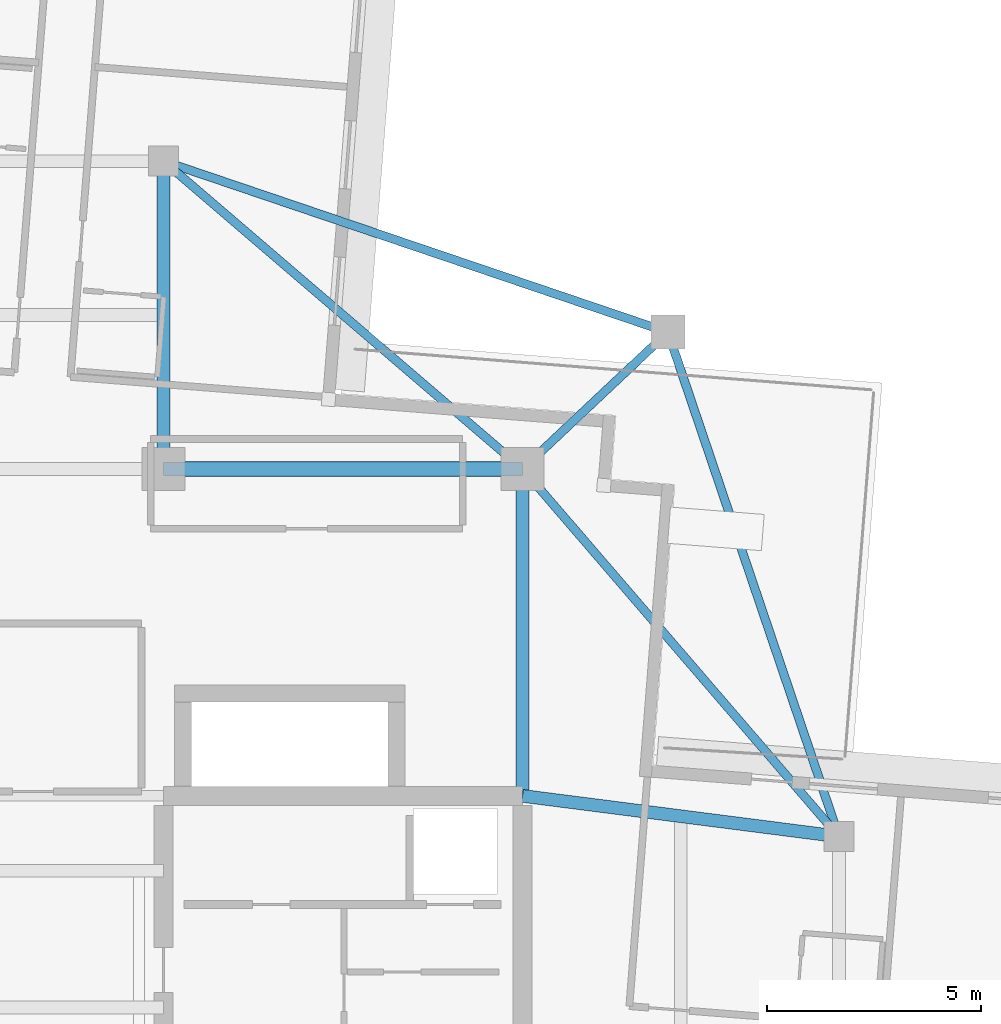
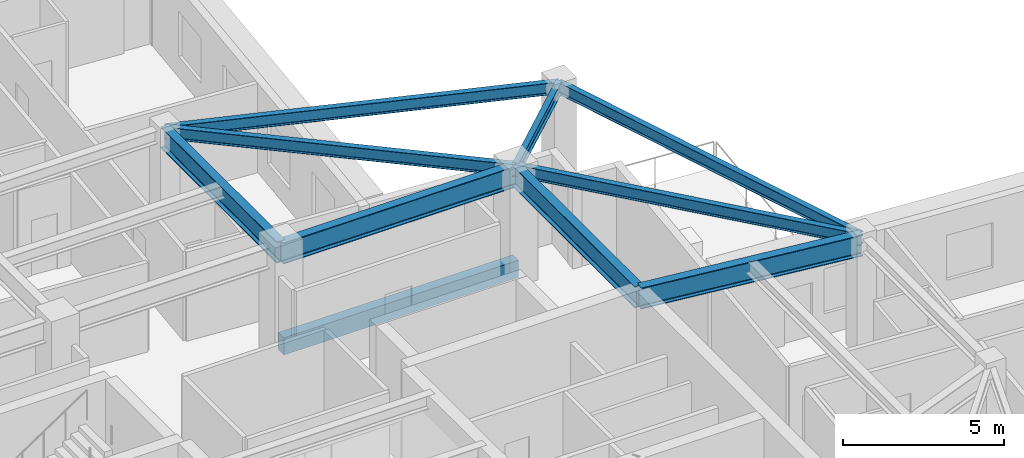
# One storey, part 10 of 23: 10 beams.
"""IFC4 building model written with IfcOpenShell, lengths in metres."""

import ifcopenshell
import ifcopenshell.guid

model = None  # the IFC model being written
_history = None  # IfcOwnerHistory: only IFC2X3 demands one
_inside = {}  # id of a spatial element -> (the spatial element, [elements in it])
_under = {}  # id of a project, library or spatial element -> (it, [spatial elements below it])
_declared = {}  # id of a project -> (the project, [libraries it declares])
_typed = {}  # id of a type object -> (the type object, [elements of that type])
_made_of = {}  # id of a material, layer set ... -> (it, [elements and type objects made of it])


def new_model(schema):
    """Start an empty IFC model of exactly this schema.

    Asked for "IFC4X3", IfcOpenShell would pick the latest addendum, in which some entities
    have other attributes; the version numbers below select the first issue.
    IFC2X3 requires an IfcOwnerHistory on every rooted entity: one is made here for all.
    """
    global model, _history
    if schema == "IFC4X3":
        model = ifcopenshell.file(schema_version=(4, 3, 0, 0))
    else:
        model = ifcopenshell.file(schema=schema)
    _inside.clear()
    _under.clear()
    _declared.clear()
    _typed.clear()
    _made_of.clear()
    _history = None
    if model.schema == "IFC2X3":
        org = make("IfcOrganization", Name="unknown")
        user = make(
            "IfcPersonAndOrganization",
            ThePerson=make("IfcPerson", FamilyName="unknown"),
            TheOrganization=org,
        )
        app = make(
            "IfcApplication",
            ApplicationDeveloper=org,
            Version="unknown",
            ApplicationFullName="unknown",
            ApplicationIdentifier="unknown",
        )
        _history = make(
            "IfcOwnerHistory",
            OwningUser=user,
            OwningApplication=app,
            ChangeAction="ADDED",
            CreationDate=0,
        )
    return model


def make(cls, **values):
    """One entity of the class cls with the attributes given. An attribute that is None is left unset."""
    return model.create_entity(
        cls, **{name: value for name, value in values.items() if value is not None}
    )


def rooted(cls, **values):
    """An entity with a GlobalId (a new one), such as an element, a storey or a relation."""
    return make(cls, GlobalId=ifcopenshell.guid.new(), OwnerHistory=_history, **values)


def si_unit(unit_type, name, prefix=None):
    """IfcSIUnit, for example si_unit("LENGTHUNIT", "METRE", prefix="MILLI")."""
    return make("IfcSIUnit", UnitType=unit_type, Prefix=prefix, Name=name)


def assignment(units):
    """IfcUnitAssignment: the units of a project."""
    return None if units is None else make("IfcUnitAssignment", Units=units)


def point(xyz):
    """IfcCartesianPoint."""
    return None if xyz is None else make("IfcCartesianPoint", Coordinates=xyz)


def direction(xyz):
    """IfcDirection."""
    return None if xyz is None else make("IfcDirection", DirectionRatios=xyz)


def frame(location, z_axis=None, x_axis=None):
    """IfcAxis2Placement3D, a coordinate frame: its origin and axes. An axis left out is left unset."""
    return make(
        "IfcAxis2Placement3D",
        Location=point(location),
        Axis=direction(z_axis),
        RefDirection=direction(x_axis),
    )


def frame_2d(location, x_axis=None):
    """IfcAxis2Placement2D, a coordinate frame in the plane: its origin and x axis."""
    return make(
        "IfcAxis2Placement2D", Location=point(location), RefDirection=direction(x_axis)
    )


def origin():
    """The frame at (0, 0, 0) with its axes left unset."""
    return frame((0.0, 0.0, 0.0))


def origin_2d():
    """The frame at (0, 0) in the plane with its x axis left unset."""
    return frame_2d((0.0, 0.0))


def place(relative_to, where):
    """IfcLocalPlacement: puts the frame where relative to a parent placement (None: the world)."""
    return make(
        "IfcLocalPlacement", PlacementRelTo=relative_to, RelativePlacement=where
    )


def context(
    kind, dimensions, precision=None, world=None, true_north=None, identifier=None
):
    """IfcGeometricRepresentationContext, for example the 3D "Model" context."""
    return make(
        "IfcGeometricRepresentationContext",
        ContextIdentifier=identifier,
        ContextType=kind,
        CoordinateSpaceDimension=dimensions,
        Precision=precision,
        WorldCoordinateSystem=world,
        TrueNorth=true_north,
    )


def subcontext(parent, identifier, kind, view, scale=None):
    """IfcGeometricRepresentationSubContext, for example "Body" below "Model"."""
    return make(
        "IfcGeometricRepresentationSubContext",
        ContextIdentifier=identifier,
        ContextType=kind,
        ParentContext=parent,
        TargetScale=scale,
        TargetView=view,
    )


def project(units=None, contexts=None):
    """IfcProject with its units and contexts."""
    return rooted(
        "IfcProject",
        Name="project",
        RepresentationContexts=contexts,
        UnitsInContext=assignment(units),
    )


def spatial(cls, under=None, at=None, **own):
    """A site, building, storey or space (cls), placed at a placement, below another one or the project."""
    s = rooted(cls, ObjectPlacement=at, **own)
    if under is not None:
        _under.setdefault(under.id(), (under, []))[1].append(s)
    return s


def profile(cls, at=None, kind="AREA", **sizes):
    """A parametric profile (cls). Its sizes go by their IFC names, for example OverallWidth=200.0."""
    return make(cls, ProfileType=kind, Position=at, **sizes)


def rectangle(**sizes):
    """IfcRectangleProfileDef."""
    return profile("IfcRectangleProfileDef", **sizes)


def i_section(**sizes):
    """IfcIShapeProfileDef."""
    return profile("IfcIShapeProfileDef", **sizes)


def extrude(swept, where, along, depth):
    """IfcExtrudedAreaSolid: the profile swept, set in the frame where, extruded along a direction by depth."""
    return make(
        "IfcExtrudedAreaSolid",
        SweptArea=swept,
        Position=where,
        ExtrudedDirection=direction(along),
        Depth=depth,
    )


def shape(context_of_items, identifier, shape_type, items):
    """IfcShapeRepresentation: the items that make up one representation, for example the "Body"."""
    return make(
        "IfcShapeRepresentation",
        ContextOfItems=context_of_items,
        RepresentationIdentifier=identifier,
        RepresentationType=shape_type,
        Items=items,
    )


def material(Name=None, Category=None):
    """IfcMaterial."""
    return make("IfcMaterial", Name=Name, Category=Category)


def material_profile(
    of_material, cross_section, Name=None, Category=None, Priority=None
):
    """IfcMaterialProfile: a cross section and its material."""
    return make(
        "IfcMaterialProfile",
        Name=Name,
        Material=of_material,
        Profile=cross_section,
        Priority=Priority,
        Category=Category,
    )


def profile_set(profiles, Name=None, composite=None):
    """IfcMaterialProfileSet."""
    return make(
        "IfcMaterialProfileSet",
        Name=Name,
        MaterialProfiles=profiles,
        CompositeProfile=composite,
    )


def made_of(thing, what):
    """Note that an element or type object is made of a material, layer set ...; save() writes the relation."""
    if what is not None:
        _made_of.setdefault(what.id(), (what, []))[1].append(thing)
    return thing


def type_object(cls, material=None, **own):
    """A type object (cls), such as IfcWallType, which elements share."""
    return made_of(rooted(cls, **own), material)


def element(
    cls,
    number,
    at=None,
    inside=None,
    cuts=None,
    type_object=None,
    material=None,
    context=None,
    identifier="Body",
    shape_type=None,
    held_by="IfcProductDefinitionShape",
    body=None,
    shapes=None,
    **own,
):
    """One element of the class cls, such as IfcWall. Its Tag is "e" and its number.

    at: its placement. inside: the storey or other place that contains it. cuts: it is an
    opening in that element (IfcRelVoidsElement). A single representation is given by context,
    identifier, shape_type and body (its items); several are given by shapes. held_by: the class
    of the entity that holds the representations. save() writes the other relations.
    """
    e = rooted(cls, Tag="e%d" % number, ObjectPlacement=at, **own)
    if body is not None:
        shapes = [shape(context, identifier, shape_type, body)]
    if shapes is not None:
        e.Representation = make(held_by, Representations=shapes)
    if inside is not None:
        _inside.setdefault(inside.id(), (inside, []))[1].append(e)
    if cuts is not None:
        rooted(
            "IfcRelVoidsElement", RelatingBuildingElement=cuts, RelatedOpeningElement=e
        )
    if type_object is not None:
        _typed.setdefault(type_object.id(), (type_object, []))[1].append(e)
    return made_of(e, material)


def aggregate(whole, parts):
    """IfcRelAggregates: a whole, such as a stair, and the parts it consists of."""
    return rooted("IfcRelAggregates", RelatingObject=whole, RelatedObjects=parts)


def save(model, path):
    """Write the relations noted so far, then the file.

    IfcRelAggregates (storeys below a building ...), IfcRelContainedInSpatialStructure (elements
    in a storey), IfcRelDefinesByType, IfcRelAssociatesMaterial and IfcRelDeclares: one each for
    every whole, place, type object, material and project.
    """
    for whole, parts in _under.values():
        aggregate(whole, parts)
    for where, things in _inside.values():
        rooted(
            "IfcRelContainedInSpatialStructure",
            RelatedElements=things,
            RelatingStructure=where,
        )
    for kind, things in _typed.values():
        rooted("IfcRelDefinesByType", RelatedObjects=things, RelatingType=kind)
    for what, things in _made_of.values():
        rooted("IfcRelAssociatesMaterial", RelatedObjects=things, RelatingMaterial=what)
    for by, libraries in _declared.values():
        rooted("IfcRelDeclares", RelatingContext=by, RelatedDefinitions=libraries)
    model.write(path)


model = new_model("IFC4")

# Units and contexts
model_context = context("Model", 3, precision=1e-05, world=origin(), true_north=direction((0.0, 1.0)))
body_context = subcontext(model_context, "Body", "Model", "MODEL_VIEW")
ifc_project = project(units=[si_unit("LENGTHUNIT", "METRE"), si_unit("AREAUNIT", "SQUARE_METRE"), si_unit("VOLUMEUNIT", "CUBIC_METRE"), si_unit("PLANEANGLEUNIT", "RADIAN"), si_unit("MASSUNIT", "GRAM", prefix="KILO")], contexts=[model_context])

# Site, building, storey
site_placement = place(None, origin())
site = spatial("IfcSite", under=ifc_project, at=site_placement, CompositionType="ELEMENT")
building_placement = place(site_placement, origin())
building = spatial("IfcBuilding", under=site, at=building_placement, Name="Qingluan Cross Belvedere", CompositionType="ELEMENT")
storey_placement = place(building_placement, frame((0.0, 0.0, 245.39990234375)))
storey = spatial("IfcBuildingStorey", under=building, at=storey_placement, Name="L61", CompositionType="ELEMENT", Elevation=245.39990234375)

# Beams
ifc_material_1 = material(Name="Concrete C45", Category="concrete")
ifc_material_profile_1 = material_profile(ifc_material_1, rectangle(XDim=0.35009765625, YDim=0.64990234375, at=origin_2d()), Name="RC350x650")
ifc_profile_set_1 = profile_set([ifc_material_profile_1], Name="Concrete C45")
beam_type_1 = type_object("IfcBeamType", Name="RC_Spandrel_RC350x650", PredefinedType="SPANDREL", material=ifc_profile_set_1)
beam_1_placement = place(storey_placement, frame((4.0, 12.60009765625, 0.400146484375), z_axis=(1.0, 0.0, 0.0), x_axis=(0.0, 1.0, 0.0)))
element("IfcBeam", 1, at=beam_1_placement, inside=storey, type_object=beam_type_1, Name="Perimeter RC spandrel beam L61-NE", PredefinedType="SPANDREL", context=body_context, shape_type="SweptSolid", body=[
    extrude(rectangle(XDim=0.35009765625, YDim=0.64990234375, at=origin_2d()), origin(), (0.0, 0.0, 1.0), 8.39990234375),
])
ifc_material_2 = material(Name="Steel Q420GJB", Category="steel")
ifc_material_profile_2 = material_profile(ifc_material_2, i_section(OverallWidth=0.199951171875, OverallDepth=0.449951171875, WebThickness=0.009033203125, FlangeThickness=0.013916015625, FilletRadius=0.01611328125, at=origin_2d()), Name="HN450x200x9x14")
ifc_profile_set_2 = profile_set([ifc_material_profile_2], Name="Steel Q420GJB")
beam_type_2 = type_object("IfcBeamType", Name="Steel_Beam_HN450x200x9x14", PredefinedType="JOIST", material=ifc_profile_set_2)
beam_2_placement = place(storey_placement, frame((12.39990234375, 12.60009765625, 4.0751953125), z_axis=(0.728219948308, 0.685343495546, 0.0), x_axis=(-0.685343495546, 0.728219948308, 0.0)))
element("IfcBeam", 2, at=beam_2_placement, inside=storey, type_object=beam_type_2, Name="Corner beam 1 L61-RNE", PredefinedType="JOIST", context=body_context, shape_type="SweptSolid", body=[
    extrude(i_section(OverallWidth=0.199951171875, OverallDepth=0.449951171875, WebThickness=0.009033203125, FlangeThickness=0.013916015625, FilletRadius=0.01611328125, at=origin_2d()), origin(), (0.0, 0.0, 1.0), 4.669189453125),
])
for number, where, z_axis, x_axis, name in (
    (3, (15.800048828125, 15.800048828125, 4.0751953125), (-0.947066283324, 0.321038089628, 0.0), (-0.321038089628, -0.947066283324, 0.0), "Corner beam 2 L61-RNE"),
    (4, (15.800048828125, 15.800048828125, 4.0751953125), (0.321038089628, -0.947066283324, 0.0), (0.947066283324, 0.321038089628, 0.0), "Corner beam 3 L61-RNE"),
):
    element("IfcBeam", number, at=place(storey_placement, frame(where, z_axis=z_axis, x_axis=x_axis)), inside=storey, type_object=beam_type_2, Name=name, PredefinedType="JOIST", context=body_context, shape_type="SweptSolid", body=[
        extrude(i_section(OverallWidth=0.199951171875, OverallDepth=0.449951171875, WebThickness=0.009033203125, FlangeThickness=0.013916015625, FilletRadius=0.01611328125, at=origin_2d()), origin(), (0.0, 0.0, 1.0), 12.45947265625),
    ])
beam_3_placement = place(storey_placement, frame((12.39990234375, 12.60009765625, 4.0751953125), z_axis=(0.652245077546, -0.75800815221, 0.0), x_axis=(0.75800815221, 0.652245077546, 0.0)))
element("IfcBeam", 5, at=beam_3_placement, inside=storey, type_object=beam_type_2, Name="Corner beam 4 L61-RNE", PredefinedType="JOIST", context=body_context, shape_type="SweptSolid", body=[
    extrude(i_section(OverallWidth=0.199951171875, OverallDepth=0.449951171875, WebThickness=0.009033203125, FlangeThickness=0.013916015625, FilletRadius=0.01611328125, at=origin_2d()), origin(), (0.0, 0.0, 1.0), 11.345703125),
])
beam_4_placement = place(storey_placement, frame((12.39990234375, 12.60009765625, 4.0751953125), z_axis=(-0.759255044656, 0.650793190779, 0.0), x_axis=(-0.650793190779, -0.759255044656, 0.0)))
element("IfcBeam", 6, at=beam_4_placement, inside=storey, type_object=beam_type_2, Name="Corner beam 5 L61-RNE", PredefinedType="JOIST", context=body_context, shape_type="SweptSolid", body=[
    extrude(i_section(OverallWidth=0.199951171875, OverallDepth=0.449951171875, WebThickness=0.009033203125, FlangeThickness=0.013916015625, FilletRadius=0.01611328125, at=origin_2d()), origin(), (0.0, 0.0, 1.0), 11.063232421875),
])
ifc_material_3 = material(Name="Steel Q420GJB", Category="steel")
ifc_material_profile_3 = material_profile(ifc_material_3, i_section(OverallWidth=0.300048828125, OverallDepth=0.800048828125, WebThickness=0.015380859375, FlangeThickness=0.028076171875, FilletRadius=0.030029296875, at=origin_2d()), Name="HEB800")
ifc_profile_set_3 = profile_set([ifc_material_profile_3], Name="Steel Q420GJB")
beam_type_3 = type_object("IfcBeamType", Name="Steel_Girder_HEB800", PredefinedType="USERDEFINED", material=ifc_profile_set_3)
beam_5_placement = place(storey_placement, frame((4.0, 12.60009765625, 3.900146484375), z_axis=(1.0, 0.0, 0.0), x_axis=(0.0, 1.0, 0.0)))
element("IfcBeam", 7, at=beam_5_placement, inside=storey, type_object=beam_type_3, Name="Hub girder L61-HG-N3", ObjectType="GIRDER", PredefinedType="USERDEFINED", context=body_context, shape_type="SweptSolid", body=[
    extrude(i_section(OverallWidth=0.300048828125, OverallDepth=0.800048828125, WebThickness=0.015380859375, FlangeThickness=0.028076171875, FilletRadius=0.030029296875, at=origin_2d()), origin(), (0.0, 0.0, 1.0), 8.39990234375),
])
beam_6_placement = place(storey_placement, frame((12.39990234375, 4.949951171875, 3.900146484375), z_axis=(0.0, 1.0, 0.0), x_axis=(-1.0, 0.0, 0.0)))
element("IfcBeam", 8, at=beam_6_placement, inside=storey, type_object=beam_type_3, Name="Hub girder L61-HG-E2", ObjectType="GIRDER", PredefinedType="USERDEFINED", context=body_context, shape_type="SweptSolid", body=[
    extrude(i_section(OverallWidth=0.300048828125, OverallDepth=0.800048828125, WebThickness=0.015380859375, FlangeThickness=0.028076171875, FilletRadius=0.030029296875, at=origin_2d()), origin(), (0.0, 0.0, 1.0), 7.650146484375),
])
beam_7_placement = place(storey_placement, frame((12.39990234375, 4.949951171875, 3.900146484375), z_axis=(0.991861120628, -0.12732445714, 0.0), x_axis=(0.12732445714, 0.991861120628, 0.0)))
element("IfcBeam", 9, at=beam_7_placement, inside=storey, type_object=beam_type_3, Name="Arm E radial girder B L61", ObjectType="GIRDER", PredefinedType="USERDEFINED", context=body_context, shape_type="SweptSolid", body=[
    extrude(i_section(OverallWidth=0.300048828125, OverallDepth=0.800048828125, WebThickness=0.015380859375, FlangeThickness=0.028076171875, FilletRadius=0.030029296875, at=origin_2d()), origin(), (0.0, 0.0, 1.0), 7.4609375),
])
beam_8_placement = place(storey_placement, frame((4.0, 12.60009765625, 3.900146484375), z_axis=(0.0, 1.0, 0.0), x_axis=(-1.0, 0.0, 0.0)))
element("IfcBeam", 10, at=beam_8_placement, inside=storey, type_object=beam_type_3, Name="Arm N radial girder B L61", ObjectType="GIRDER", PredefinedType="USERDEFINED", context=body_context, shape_type="SweptSolid", body=[
    extrude(i_section(OverallWidth=0.300048828125, OverallDepth=0.800048828125, WebThickness=0.015380859375, FlangeThickness=0.028076171875, FilletRadius=0.030029296875, at=origin_2d()), origin(), (0.0, 0.0, 1.0), 7.199951171875),
])

save(model, "model.ifc")
